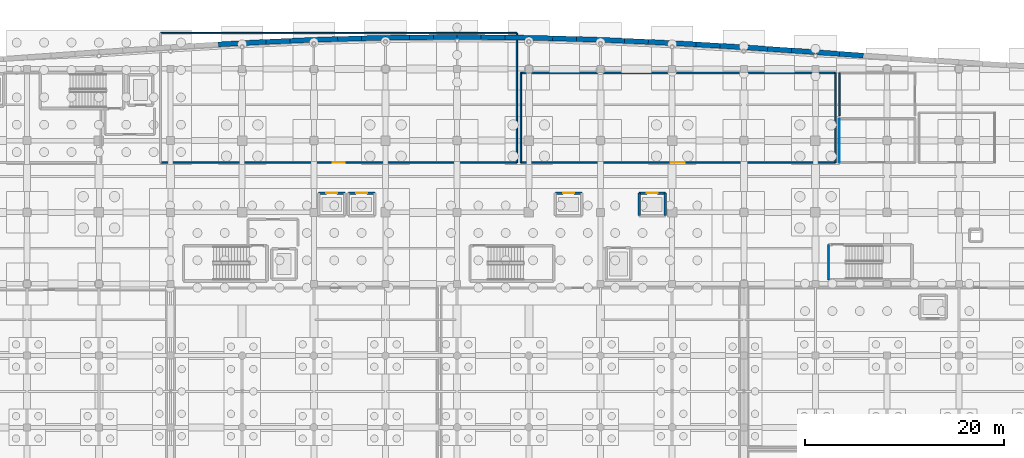
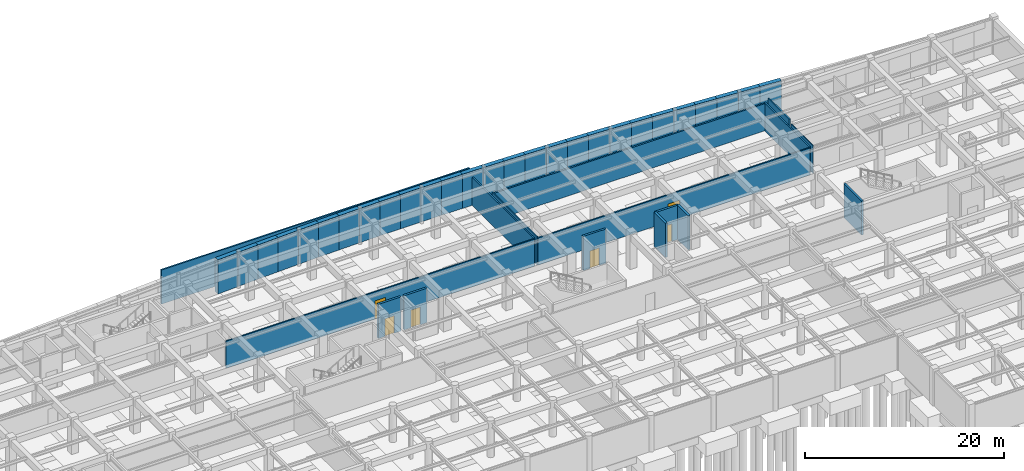
# One storey, part 38 of 48: 43 walls, 6 doors, 6 openings.
"""IFC4 building model written with IfcOpenShell, lengths in metres."""

from ifc_helpers import new_model, si_unit, direction, frame, frame_2d, origin, place, context, subcontext, project, spatial, rectangle, extrude, material, layer, layer_set, type_object, element, fill, save


model = new_model("IFC4")

# Units and contexts
model_context = context("Model", 3, precision=1e-05, world=origin(), true_north=direction((0.0, 1.0)))
body_context = subcontext(model_context, "Body", "Model", "MODEL_VIEW")
ifc_project = project(units=[si_unit("LENGTHUNIT", "METRE"), si_unit("AREAUNIT", "SQUARE_METRE"), si_unit("VOLUMEUNIT", "CUBIC_METRE"), si_unit("PLANEANGLEUNIT", "RADIAN"), si_unit("MASSUNIT", "GRAM", prefix="KILO")], contexts=[model_context])

# Site, building, storey
site_placement = place(None, origin())
site = spatial("IfcSite", under=ifc_project, at=site_placement, CompositionType="ELEMENT")
building_placement = place(site_placement, origin())
building = spatial("IfcBuilding", under=site, at=building_placement, Name="Carrowvane Square Congress Hotel", CompositionType="ELEMENT")
storey_placement = place(building_placement, frame((0.0, 0.0, -4.5)))
storey = spatial("IfcBuildingStorey", under=building, at=storey_placement, Name="B01", CompositionType="ELEMENT", Elevation=-4.5)

# Wall
ifc_material_1 = material(Name="Acoustic gypsum board", Category="gypsum")
ifc_layer_1 = layer(ifc_material_1, 0.155029296875)
ifc_layer_set_1 = layer_set([ifc_layer_1], Name="Acoustic gypsum board")
wall_type_1 = type_object("IfcWallType", Name="WL-FIR-155", PredefinedType="PARTITIONING", material=ifc_layer_set_1)
wall_1_placement = place(storey_placement, frame((104.0, 117.0, 0.0), z_axis=(0.0, 0.0, 1.0), x_axis=(0.0, -1.0, 0.0)))
element("IfcWall", 1, at=wall_1_placement, inside=storey, type_object=wall_type_1, Name="B01 Central Cold Prep and Bonded Store partition", PredefinedType="PARTITIONING", context=body_context, shape_type="SweptSolid", body=[
    extrude(rectangle(XDim=13.0, YDim=0.155029296875, at=frame_2d((6.5, 0.0))), origin(), (0.0, 0.0, 1.0), 3.43505859375),
])

# Wall, opening, door
wall_2_placement = place(storey_placement, frame((136.0, 104.0, 0.0), z_axis=(0.0, 0.0, 1.0), x_axis=(-1.0, 0.0, 0.0)))
wall_2 = element("IfcWall", 2, at=wall_2_placement, inside=storey, type_object=wall_type_1, Name="B01 Chief Engineer Control Workshop partition", PredefinedType="PARTITIONING", context=body_context, shape_type="SweptSolid", body=[
    extrude(rectangle(XDim=31.60009765625, YDim=0.155029296875, at=frame_2d((15.800048828125, 0.0))), origin(), (0.0, 0.0, 1.0), 3.3349609375),
])
opening_1_placement = place(wall_2_placement, frame((15.1201171875, 0.0, 0.0)))
opening_1 = element("IfcOpeningElement", 3, at=opening_1_placement, cuts=wall_2, Name="Opening ID-25", PredefinedType="OPENING", context=body_context, shape_type="SweptSolid", body=[
    extrude(rectangle(XDim=1.360107421875, YDim=2.219970703125, at=frame_2d((0.68017578125, 1.10986328125))), frame((0.0, 0.08740234375, 0.0), z_axis=(0.0, -1.0, 0.0), x_axis=(1.0, 0.0, 0.0)), (0.0, 0.0, 1.0), 0.175048828125),
])
ifc_material_2 = material(Name="European oak timber", Category="wood")
door_type_1 = type_object("IfcDoorType", Name="DR-INT-1360x2220", OperationType="DOUBLE_DOOR_SINGLE_SWING", PredefinedType="DOOR", material=ifc_material_2)
door_1_placement = place(opening_1_placement, origin())
door_1 = element("IfcDoor", 4, at=door_1_placement, inside=storey, type_object=door_type_1, Name="B01 Chief Engineer Control Workshop entrance door", OperationType="DOUBLE_DOOR_SINGLE_SWING", OverallHeight=2.219970703125, OverallWidth=1.360107421875, PredefinedType="DOOR", context=body_context, shape_type="SweptSolid", body=[
    extrude(rectangle(XDim=1.360107421875, YDim=2.219970703125, at=frame_2d((0.68017578125, 1.10986328125))), frame((0.0, 0.02490234375, 0.0), z_axis=(0.0, -1.0, 0.0), x_axis=(1.0, 0.0, 0.0)), (0.0, 0.0, 1.0), 0.050048828125),
])
fill(opening_1, door_1)

# Walls
ifc_material_3 = material(Name="Acoustic gypsum board", Category="gypsum")
ifc_layer_2 = layer(ifc_material_3, 0.169921875)
ifc_layer_set_2 = layer_set([ifc_layer_2], Name="Acoustic gypsum board")
wall_type_2 = type_object("IfcWallType", Name="WL-FIR-170", PredefinedType="PARTITIONING", material=ifc_layer_set_2)
wall_3_placement = place(storey_placement, frame((68.199951171875, 117.0, 0.0), z_axis=(0.0, 0.0, 1.0), x_axis=(1.0, 0.0, 0.0)))
element("IfcWall", 5, at=wall_3_placement, inside=storey, type_object=wall_type_2, Name="B01 Central Cold Prep and Bonded Store partition", PredefinedType="PARTITIONING", context=body_context, shape_type="SweptSolid", body=[
    extrude(rectangle(XDim=35.800048828125, YDim=0.169921875, at=frame_2d((17.89990234375, 0.0))), origin(), (0.0, 0.0, 1.0), 4.199951171875),
])
wall_4_placement = place(storey_placement, frame((136.0, 113.0, 0.0), z_axis=(0.0, 0.0, 1.0), x_axis=(0.0, -1.0, 0.0)))
element("IfcWall", 6, at=wall_4_placement, inside=storey, type_object=wall_type_2, Name="B01 Chief Engineer Control Workshop partition", PredefinedType="PARTITIONING", context=body_context, shape_type="SweptSolid", body=[
    extrude(rectangle(XDim=9.0, YDim=0.169921875, at=frame_2d((4.5, 0.0))), origin(), (0.0, 0.0, 1.0), 3.43505859375),
])
ifc_material_4 = material(Name="Acoustic gypsum board", Category="gypsum")
ifc_layer_3 = layer(ifc_material_4, 0.18505859375)
ifc_layer_set_3 = layer_set([ifc_layer_3], Name="Acoustic gypsum board")
wall_type_3 = type_object("IfcWallType", Name="WL-FIR-185", PredefinedType="PARTITIONING", material=ifc_layer_set_3)
wall_5_placement = place(storey_placement, frame((104.39990234375, 113.0, 0.0), z_axis=(0.0, 0.0, 1.0), x_axis=(1.0, 0.0, 0.0)))
element("IfcWall", 7, at=wall_5_placement, inside=storey, type_object=wall_type_3, Name="B01 Chief Engineer Control Workshop partition", PredefinedType="PARTITIONING", context=body_context, shape_type="SweptSolid", body=[
    extrude(rectangle(XDim=31.60009765625, YDim=0.18505859375, at=frame_2d((15.800048828125, 0.0))), origin(), (0.0, 0.0, 1.0), 3.3349609375),
])
ifc_material_5 = material(Name="Acoustic gypsum board", Category="gypsum")
ifc_layer_4 = layer(ifc_material_5, 0.097900390625)
ifc_layer_set_4 = layer_set([ifc_layer_4], Name="Acoustic gypsum board")
wall_type_4 = type_object("IfcWallType", Name="WL-PRT-098", PredefinedType="PARTITIONING", material=ifc_layer_set_4)
wall_6_placement = place(storey_placement, frame((136.39990234375, 104.0, 0.0), z_axis=(0.0, 0.0, 1.0), x_axis=(0.0, 1.0, 0.0)))
element("IfcWall", 8, at=wall_6_placement, inside=storey, type_object=wall_type_4, Name="B01 Basement Staff Male Toilets partition", PredefinedType="PARTITIONING", context=body_context, shape_type="SweptSolid", body=[
    extrude(rectangle(XDim=4.39990234375, YDim=0.097900390625, at=frame_2d((2.199951171875, 0.0))), origin(), (0.0, 0.0, 1.0), 3.43505859375),
])
ifc_material_6 = material(Name="Acoustic gypsum board", Category="gypsum")
ifc_layer_5 = layer(ifc_material_6, 0.137939453125)
ifc_layer_set_5 = layer_set([ifc_layer_5], Name="Acoustic gypsum board")
wall_type_5 = type_object("IfcWallType", Name="WL-PRT-138", PredefinedType="PARTITIONING", material=ifc_layer_set_5)
wall_7_placement = place(storey_placement, frame((104.39990234375, 104.0, 0.0), z_axis=(0.0, 0.0, 1.0), x_axis=(0.0, 1.0, 0.0)))
element("IfcWall", 9, at=wall_7_placement, inside=storey, type_object=wall_type_5, Name="B01 Chief Engineer Control Workshop partition", PredefinedType="PARTITIONING", context=body_context, shape_type="SweptSolid", body=[
    extrude(rectangle(XDim=9.0, YDim=0.137939453125, at=frame_2d((4.5, 0.0))), origin(), (0.0, 0.0, 1.0), 3.43505859375),
])

# Wall, opening, door
ifc_material_7 = material(Name="Acoustic gypsum board", Category="gypsum")
ifc_layer_6 = layer(ifc_material_7, 0.14794921875)
ifc_layer_set_6 = layer_set([ifc_layer_6], Name="Acoustic gypsum board")
wall_type_6 = type_object("IfcWallType", Name="WL-PRT-148", PredefinedType="PARTITIONING", material=ifc_layer_set_6)
wall_8_placement = place(storey_placement, frame((104.0, 104.0, 0.0), z_axis=(0.0, 0.0, 1.0), x_axis=(-1.0, 0.0, 0.0)))
wall_8 = element("IfcWall", 10, at=wall_8_placement, inside=storey, type_object=wall_type_6, Name="B01 Central Cold Prep and Bonded Store partition", PredefinedType="PARTITIONING", context=body_context, shape_type="SweptSolid", body=[
    extrude(rectangle(XDim=35.800048828125, YDim=0.14794921875, at=frame_2d((17.89990234375, 0.0))), origin(), (0.0, 0.0, 1.0), 3.3349609375),
])
opening_2_placement = place(wall_8_placement, frame((17.2900390625, 0.0, 0.0)))
opening_2 = element("IfcOpeningElement", 11, at=opening_2_placement, cuts=wall_8, Name="Opening ID-24", PredefinedType="OPENING", context=body_context, shape_type="SweptSolid", body=[
    extrude(rectangle(XDim=1.219970703125, YDim=2.239990234375, at=frame_2d((0.60986328125, 1.1201171875))), frame((0.0, 0.083984375, 0.0), z_axis=(0.0, -1.0, 0.0), x_axis=(1.0, 0.0, 0.0)), (0.0, 0.0, 1.0), 0.16796875),
])
ifc_material_8 = material(Name="European oak timber", Category="wood")
door_type_2 = type_object("IfcDoorType", Name="DR-INT-1220x2240", OperationType="NOTDEFINED", PredefinedType="DOOR", material=ifc_material_8)
door_2_placement = place(opening_2_placement, origin())
door_2 = element("IfcDoor", 12, at=door_2_placement, inside=storey, type_object=door_type_2, Name="B01 Central Cold Prep and Bonded Store entrance door", OperationType="SINGLE_SWING_RIGHT", OverallHeight=2.239990234375, OverallWidth=1.219970703125, PredefinedType="DOOR", context=body_context, shape_type="SweptSolid", body=[
    extrude(rectangle(XDim=1.219970703125, YDim=2.239990234375, at=frame_2d((0.60986328125, 1.1201171875))), frame((0.0, 0.02490234375, 0.0), z_axis=(0.0, -1.0, 0.0), x_axis=(1.0, 0.0, 0.0)), (0.0, 0.0, 1.0), 0.050048828125),
])
fill(opening_2, door_2)

# Walls
wall_9_placement = place(storey_placement, frame((136.39990234375, 108.699951171875, 0.0), z_axis=(0.0, 0.0, 1.0), x_axis=(0.0, 1.0, 0.0)))
element("IfcWall", 13, at=wall_9_placement, inside=storey, type_object=wall_type_6, Name="B01 Basement Staff Female Toilets partition", PredefinedType="PARTITIONING", context=body_context, shape_type="SweptSolid", body=[
    extrude(rectangle(XDim=4.300048828125, YDim=0.14794921875, at=frame_2d((2.14990234375, 0.0))), origin(), (0.0, 0.0, 1.0), 3.826904296875),
])
ifc_material_9 = material(Name="Concrete C35/45", Category="concrete")
ifc_layer_7 = layer(ifc_material_9, 0.5)
ifc_layer_set_7 = layer_set([ifc_layer_7], Name="Concrete C35/45")
wall_type_7 = type_object("IfcWallType", Name="WL-RET-500", PredefinedType="SOLIDWALL", material=ifc_layer_set_7)
wall_10_placement = place(storey_placement, frame((74.0, 115.86572265625, 0.0), z_axis=(0.0, 0.0, 1.0), x_axis=(0.998494541086, 0.054851175197, 0.0)))
element("IfcWall", 14, at=wall_10_placement, inside=storey, type_object=wall_type_7, Name="B01 perimeter retaining wall 36", PredefinedType="SOLIDWALL", context=body_context, shape_type="SweptSolid", body=[
    extrude(rectangle(XDim=2.403564453125, YDim=0.5, at=frame_2d((1.20166015625, 0.0))), origin(), (0.0, 0.0, 1.0), 4.199951171875),
])
wall_11_placement = place(storey_placement, frame((76.39990234375, 115.99755859375, 0.0), z_axis=(0.0, 0.0, 1.0), x_axis=(0.998734797052, 0.050287226583, 0.0)))
element("IfcWall", 15, at=wall_11_placement, inside=storey, type_object=wall_type_7, Name="B01 perimeter retaining wall 37", PredefinedType="SOLIDWALL", context=body_context, shape_type="SweptSolid", body=[
    extrude(rectangle(XDim=2.403076171875, YDim=0.5, at=frame_2d((1.20166015625, 0.0))), origin(), (0.0, 0.0, 1.0), 4.199951171875),
])
wall_12_placement = place(storey_placement, frame((78.800048828125, 116.118408203125, 0.0), z_axis=(0.0, 0.0, 1.0), x_axis=(0.998967701901, 0.045426099975, 0.0)))
element("IfcWall", 16, at=wall_12_placement, inside=storey, type_object=wall_type_7, Name="B01 perimeter retaining wall 38", PredefinedType="SOLIDWALL", context=body_context, shape_type="SweptSolid", body=[
    extrude(rectangle(XDim=2.40234375, YDim=0.5, at=frame_2d((1.201171875, 0.0))), origin(), (0.0, 0.0, 1.0), 4.199951171875),
])
wall_13_placement = place(storey_placement, frame((81.199951171875, 116.2275390625, 0.0), z_axis=(0.0, 0.0, 1.0), x_axis=(0.999193798943, 0.040146633159, 0.0)))
element("IfcWall", 17, at=wall_13_placement, inside=storey, type_object=wall_type_7, Name="B01 perimeter retaining wall 39", PredefinedType="SOLIDWALL", context=body_context, shape_type="SweptSolid", body=[
    extrude(rectangle(XDim=2.402099609375, YDim=0.5, at=frame_2d((1.201171875, 0.0))), origin(), (0.0, 0.0, 1.0), 4.199951171875),
])
wall_14_placement = place(storey_placement, frame((83.60009765625, 116.323974609375, 0.0), z_axis=(0.0, 0.0, 1.0), x_axis=(0.999402371436, 0.034567325156, 0.0)))
element("IfcWall", 18, at=wall_14_placement, inside=storey, type_object=wall_type_7, Name="B01 perimeter retaining wall 40", PredefinedType="SOLIDWALL", context=body_context, shape_type="SweptSolid", body=[
    extrude(rectangle(XDim=2.4013671875, YDim=0.5, at=frame_2d((1.20068359375, 0.0))), origin(), (0.0, 0.0, 1.0), 4.199951171875),
])
for number, where, z_axis, x_axis, name in (
    (19, (86.0, 116.406982421875, 0.0), (0.0, 0.0, 1.0), (0.999591671641, 0.028574288884, 0.0), "B01 perimeter retaining wall 41"),
    (20, (88.39990234375, 116.4755859375, 0.0), (0.0, 0.0, 1.0), (0.999745132473, 0.022575874215, 0.0), "B01 perimeter retaining wall 42"),
):
    element("IfcWall", number, at=place(storey_placement, frame(where, z_axis=z_axis, x_axis=x_axis)), inside=storey, type_object=wall_type_7, Name=name, PredefinedType="SOLIDWALL", context=body_context, shape_type="SweptSolid", body=[
        extrude(rectangle(XDim=2.40087890625, YDim=0.5, at=frame_2d((1.200439453125, 0.0))), origin(), (0.0, 0.0, 1.0), 4.199951171875),
    ])
for number, where, z_axis, x_axis, name in (
    (21, (90.800048828125, 116.52978515625, 0.0), (0.0, 0.0, 1.0), (0.999869210762, 0.016172859055, 0.0), "B01 perimeter retaining wall 43"),
    (22, (93.199951171875, 116.568603515625, 0.0), (0.0, 0.0, 1.0), (0.999952325514, 0.009764563447, 0.0), "B01 perimeter retaining wall 44"),
):
    element("IfcWall", number, at=place(storey_placement, frame(where, z_axis=z_axis, x_axis=x_axis)), inside=storey, type_object=wall_type_7, Name=name, PredefinedType="SOLIDWALL", context=body_context, shape_type="SweptSolid", body=[
        extrude(rectangle(XDim=2.400146484375, YDim=0.5, at=frame_2d((1.2001953125, 0.0))), origin(), (0.0, 0.0, 1.0), 4.199951171875),
    ])
for number, where, z_axis, x_axis, name in (
    (23, (95.60009765625, 116.592041015625, 0.0), (0.0, 0.0, 1.0), (0.999994365087, 0.003357051276, 0.0), "B01 perimeter retaining wall 45"),
    (24, (98.0, 116.60009765625, 0.0), (0.0, 0.0, 1.0), (0.999994365087, -0.003357051276, 0.0), "B01 perimeter retaining wall 46"),
):
    element("IfcWall", number, at=place(storey_placement, frame(where, z_axis=z_axis, x_axis=x_axis)), inside=storey, type_object=wall_type_7, Name=name, PredefinedType="SOLIDWALL", context=body_context, shape_type="SweptSolid", body=[
        extrude(rectangle(XDim=2.39990234375, YDim=0.5, at=frame_2d((1.199951171875, 0.0))), origin(), (0.0, 0.0, 1.0), 4.199951171875),
    ])
for number, where, z_axis, x_axis, name in (
    (25, (100.39990234375, 116.592041015625, 0.0), (0.0, 0.0, 1.0), (0.999952325514, -0.009764563447, 0.0), "B01 perimeter retaining wall 47"),
    (26, (102.800048828125, 116.568603515625, 0.0), (0.0, 0.0, 1.0), (0.999869210762, -0.016172859055, 0.0), "B01 perimeter retaining wall 48"),
):
    element("IfcWall", number, at=place(storey_placement, frame(where, z_axis=z_axis, x_axis=x_axis)), inside=storey, type_object=wall_type_7, Name=name, PredefinedType="SOLIDWALL", context=body_context, shape_type="SweptSolid", body=[
        extrude(rectangle(XDim=2.400146484375, YDim=0.5, at=frame_2d((1.2001953125, 0.0))), origin(), (0.0, 0.0, 1.0), 4.199951171875),
    ])
for number, where, z_axis, x_axis, name in (
    (27, (105.199951171875, 116.52978515625, 0.0), (0.0, 0.0, 1.0), (0.999745132473, -0.022575874215, 0.0), "B01 perimeter retaining wall 49"),
    (28, (107.60009765625, 116.4755859375, 0.0), (0.0, 0.0, 1.0), (0.999591671641, -0.028574288884, 0.0), "B01 perimeter retaining wall 50"),
):
    element("IfcWall", number, at=place(storey_placement, frame(where, z_axis=z_axis, x_axis=x_axis)), inside=storey, type_object=wall_type_7, Name=name, PredefinedType="SOLIDWALL", context=body_context, shape_type="SweptSolid", body=[
        extrude(rectangle(XDim=2.40087890625, YDim=0.5, at=frame_2d((1.200439453125, 0.0))), origin(), (0.0, 0.0, 1.0), 4.199951171875),
    ])
wall_15_placement = place(storey_placement, frame((110.0, 116.406982421875, 0.0), z_axis=(0.0, 0.0, 1.0), x_axis=(0.999402371436, -0.034567325156, 0.0)))
element("IfcWall", 29, at=wall_15_placement, inside=storey, type_object=wall_type_7, Name="B01 perimeter retaining wall 51", PredefinedType="SOLIDWALL", context=body_context, shape_type="SweptSolid", body=[
    extrude(rectangle(XDim=2.4013671875, YDim=0.5, at=frame_2d((1.20068359375, 0.0))), origin(), (0.0, 0.0, 1.0), 4.199951171875),
])
wall_16_placement = place(storey_placement, frame((112.39990234375, 116.323974609375, 0.0), z_axis=(0.0, 0.0, 1.0), x_axis=(0.999193798943, -0.040146633159, 0.0)))
element("IfcWall", 30, at=wall_16_placement, inside=storey, type_object=wall_type_7, Name="B01 perimeter retaining wall 52", PredefinedType="SOLIDWALL", context=body_context, shape_type="SweptSolid", body=[
    extrude(rectangle(XDim=2.402099609375, YDim=0.5, at=frame_2d((1.201171875, 0.0))), origin(), (0.0, 0.0, 1.0), 4.199951171875),
])
wall_17_placement = place(storey_placement, frame((114.800048828125, 116.2275390625, 0.0), z_axis=(0.0, 0.0, 1.0), x_axis=(0.998967701901, -0.045426099975, 0.0)))
element("IfcWall", 31, at=wall_17_placement, inside=storey, type_object=wall_type_7, Name="B01 perimeter retaining wall 53", PredefinedType="SOLIDWALL", context=body_context, shape_type="SweptSolid", body=[
    extrude(rectangle(XDim=2.40234375, YDim=0.5, at=frame_2d((1.201171875, 0.0))), origin(), (0.0, 0.0, 1.0), 4.199951171875),
])
wall_18_placement = place(storey_placement, frame((117.199951171875, 116.118408203125, 0.0), z_axis=(0.0, 0.0, 1.0), x_axis=(0.998734797052, -0.050287226583, 0.0)))
element("IfcWall", 32, at=wall_18_placement, inside=storey, type_object=wall_type_7, Name="B01 perimeter retaining wall 54", PredefinedType="SOLIDWALL", context=body_context, shape_type="SweptSolid", body=[
    extrude(rectangle(XDim=2.403076171875, YDim=0.5, at=frame_2d((1.20166015625, 0.0))), origin(), (0.0, 0.0, 1.0), 4.199951171875),
])
wall_19_placement = place(storey_placement, frame((119.60009765625, 115.99755859375, 0.0), z_axis=(0.0, 0.0, 1.0), x_axis=(0.998494541086, -0.054851175197, 0.0)))
element("IfcWall", 33, at=wall_19_placement, inside=storey, type_object=wall_type_7, Name="B01 perimeter retaining wall 55", PredefinedType="SOLIDWALL", context=body_context, shape_type="SweptSolid", body=[
    extrude(rectangle(XDim=2.403564453125, YDim=0.5, at=frame_2d((1.20166015625, 0.0))), origin(), (0.0, 0.0, 1.0), 4.199951171875),
])
wall_20_placement = place(storey_placement, frame((122.0, 115.86572265625, 0.0), z_axis=(0.0, 0.0, 1.0), x_axis=(0.998269817782, -0.058799412461, 0.0)))
element("IfcWall", 34, at=wall_20_placement, inside=storey, type_object=wall_type_7, Name="B01 perimeter retaining wall 56", PredefinedType="SOLIDWALL", context=body_context, shape_type="SweptSolid", body=[
    extrude(rectangle(XDim=2.404052734375, YDim=0.5, at=frame_2d((1.2021484375, 0.0))), origin(), (0.0, 0.0, 1.0), 4.199951171875),
])
wall_21_placement = place(storey_placement, frame((124.39990234375, 115.724365234375, 0.0), z_axis=(0.0, 0.0, 1.0), x_axis=(0.998049021666, -0.062435169192, 0.0)))
element("IfcWall", 35, at=wall_21_placement, inside=storey, type_object=wall_type_7, Name="B01 perimeter retaining wall 57", PredefinedType="SOLIDWALL", context=body_context, shape_type="SweptSolid", body=[
    extrude(rectangle(XDim=2.40478515625, YDim=0.5, at=frame_2d((1.202392578125, 0.0))), origin(), (0.0, 0.0, 1.0), 4.199951171875),
])
wall_22_placement = place(storey_placement, frame((126.800048828125, 115.57421875, 0.0), z_axis=(0.0, 0.0, 1.0), x_axis=(0.99786085888, -0.065373590348, 0.0)))
element("IfcWall", 36, at=wall_22_placement, inside=storey, type_object=wall_type_7, Name="B01 perimeter retaining wall 58", PredefinedType="SOLIDWALL", context=body_context, shape_type="SweptSolid", body=[
    extrude(rectangle(XDim=2.405029296875, YDim=0.5, at=frame_2d((1.20263671875, 0.0))), origin(), (0.0, 0.0, 1.0), 4.199951171875),
])
for number, where, z_axis, x_axis, name in (
    (37, (129.199951171875, 115.4169921875, 0.0), (0.0, 0.0, 1.0), (0.997692606374, -0.067893027532, 0.0), "B01 perimeter retaining wall 59"),
    (38, (131.60009765625, 115.253662109375, 0.0), (0.0, 0.0, 1.0), (0.997566736958, -0.069718041535, 0.0), "B01 perimeter retaining wall 60"),
):
    element("IfcWall", number, at=place(storey_placement, frame(where, z_axis=z_axis, x_axis=x_axis)), inside=storey, type_object=wall_type_7, Name=name, PredefinedType="SOLIDWALL", context=body_context, shape_type="SweptSolid", body=[
        extrude(rectangle(XDim=2.40576171875, YDim=0.5, at=frame_2d((1.202880859375, 0.0))), origin(), (0.0, 0.0, 1.0), 4.199951171875),
    ])
wall_23_placement = place(storey_placement, frame((134.0, 115.0859375, 0.0), z_axis=(0.0, 0.0, 1.0), x_axis=(0.997481313423, -0.070929749551, 0.0)))
element("IfcWall", 39, at=wall_23_placement, inside=storey, type_object=wall_type_7, Name="B01 perimeter retaining wall 61", PredefinedType="SOLIDWALL", context=body_context, shape_type="SweptSolid", body=[
    extrude(rectangle(XDim=2.406005859375, YDim=0.5, at=frame_2d((1.203125, 0.0))), origin(), (0.0, 0.0, 1.0), 4.199951171875),
])
wall_24_placement = place(storey_placement, frame((136.39990234375, 114.915283203125, 0.0), z_axis=(0.0, 0.0, 1.0), x_axis=(0.997438574499, -0.071528246874, 0.0)))
element("IfcWall", 40, at=wall_24_placement, inside=storey, type_object=wall_type_7, Name="B01 perimeter retaining wall 62", PredefinedType="SOLIDWALL", context=body_context, shape_type="SweptSolid", body=[
    extrude(rectangle(XDim=2.40625, YDim=0.5, at=frame_2d((1.203125, 0.0))), origin(), (0.0, 0.0, 1.0), 4.199951171875),
])
ifc_material_10 = material(Name="Concrete C40/50", Category="concrete")
ifc_layer_8 = layer(ifc_material_10, 0.22509765625)
ifc_layer_set_8 = layer_set([ifc_layer_8], Name="Concrete C40/50")
wall_type_8 = type_object("IfcWallType", Name="WL-SHR-225", PredefinedType="SHEAR", material=ifc_layer_set_8)
wall_25_placement = place(storey_placement, frame((135.300048828125, 95.760009765625, 0.0), z_axis=(0.0, 0.0, 1.0), x_axis=(0.0, -1.0, 0.0)))
element("IfcWall", 41, at=wall_25_placement, inside=storey, type_object=wall_type_8, Name="B01 ST12 core wall west", PredefinedType="SHEAR", context=body_context, shape_type="SweptSolid", body=[
    extrude(rectangle(XDim=3.56005859375, YDim=0.22509765625, at=frame_2d((1.780029296875, 0.0))), origin(), (0.0, 0.0, 1.0), 4.199951171875),
])

# Wall, opening, door
ifc_material_11 = material(Name="Concrete C40/50", Category="concrete")
ifc_layer_9 = layer(ifc_material_11, 0.25)
ifc_layer_set_9 = layer_set([ifc_layer_9], Name="Concrete C40/50")
wall_type_9 = type_object("IfcWallType", Name="WL-SHR-250", PredefinedType="SHEAR", material=ifc_layer_set_9)
wall_26_placement = place(storey_placement, frame((86.72509765625, 100.925048828125, 0.0), z_axis=(0.0, 0.0, 1.0), x_axis=(-1.0, 0.0, 0.0)))
wall_26 = element("IfcWall", 42, at=wall_26_placement, inside=storey, type_object=wall_type_9, Name="B01 HL-1 shaft wall north", PredefinedType="SHEAR", context=body_context, shape_type="SweptSolid", body=[
    extrude(rectangle(XDim=2.650146484375, YDim=0.25, at=frame_2d((1.3251953125, 0.0))), origin(), (0.0, 0.0, 1.0), 4.199951171875),
])
opening_3_placement = place(wall_26_placement, frame((0.77490234375, 0.0, 0.0)))
opening_3 = element("IfcOpeningElement", 43, at=opening_3_placement, cuts=wall_26, Name="Opening LD-HL-1", PredefinedType="OPENING", context=body_context, shape_type="SweptSolid", body=[
    extrude(rectangle(XDim=1.10009765625, YDim=2.14990234375, at=frame_2d((0.550048828125, 1.074951171875))), frame((0.0, 0.135009765625, 0.0), z_axis=(0.0, -1.0, 0.0), x_axis=(1.0, 0.0, 0.0)), (0.0, 0.0, 1.0), 0.27001953125),
])
ifc_material_12 = material(Name="Stainless steel 316", Category="steel")
door_type_3 = type_object("IfcDoorType", Name="DR-LD-1100x2150", OperationType="DOUBLE_DOOR_SLIDING", PredefinedType="DOOR", material=ifc_material_12)
door_3_placement = place(opening_3_placement, origin())
door_3 = element("IfcDoor", 44, at=door_3_placement, inside=storey, type_object=door_type_3, Name="B01 HL-1 sliding lift landing door", OperationType="DOUBLE_DOOR_SLIDING", OverallHeight=2.14990234375, OverallWidth=1.10009765625, PredefinedType="DOOR", context=body_context, shape_type="SweptSolid", body=[
    extrude(rectangle(XDim=1.10009765625, YDim=2.14990234375, at=frame_2d((0.550048828125, 1.074951171875))), frame((0.0, 0.02490234375, 0.0), z_axis=(0.0, -1.0, 0.0), x_axis=(1.0, 0.0, 0.0)), (0.0, 0.0, 1.0), 0.050048828125),
])
fill(opening_3, door_3)

wall_27_placement = place(storey_placement, frame((89.72509765625, 100.925048828125, 0.0), z_axis=(0.0, 0.0, 1.0), x_axis=(-1.0, 0.0, 0.0)))
wall_27 = element("IfcWall", 45, at=wall_27_placement, inside=storey, type_object=wall_type_9, Name="B01 HL-2 shaft wall north", PredefinedType="SHEAR", context=body_context, shape_type="SweptSolid", body=[
    extrude(rectangle(XDim=2.650146484375, YDim=0.25, at=frame_2d((1.3251953125, 0.0))), origin(), (0.0, 0.0, 1.0), 4.199951171875),
])
opening_4_placement = place(wall_27_placement, frame((0.77490234375, 0.0, 0.0)))
opening_4 = element("IfcOpeningElement", 46, at=opening_4_placement, cuts=wall_27, Name="Opening LD-HL-2", PredefinedType="OPENING", context=body_context, shape_type="SweptSolid", body=[
    extrude(rectangle(XDim=1.10009765625, YDim=2.14990234375, at=frame_2d((0.550048828125, 1.074951171875))), frame((0.0, 0.135009765625, 0.0), z_axis=(0.0, -1.0, 0.0), x_axis=(1.0, 0.0, 0.0)), (0.0, 0.0, 1.0), 0.27001953125),
])
door_4_placement = place(opening_4_placement, origin())
door_4 = element("IfcDoor", 47, at=door_4_placement, inside=storey, type_object=door_type_3, Name="B01 HL-2 sliding lift landing door", OperationType="DOUBLE_DOOR_SLIDING", OverallHeight=2.14990234375, OverallWidth=1.10009765625, PredefinedType="DOOR", context=body_context, shape_type="SweptSolid", body=[
    extrude(rectangle(XDim=1.10009765625, YDim=2.14990234375, at=frame_2d((0.550048828125, 1.074951171875))), frame((0.0, 0.02490234375, 0.0), z_axis=(0.0, -1.0, 0.0), x_axis=(1.0, 0.0, 0.0)), (0.0, 0.0, 1.0), 0.050048828125),
])
fill(opening_4, door_4)

wall_28_placement = place(storey_placement, frame((110.52490234375, 100.925048828125, 0.0), z_axis=(0.0, 0.0, 1.0), x_axis=(-1.0, 0.0, 0.0)))
wall_28 = element("IfcWall", 48, at=wall_28_placement, inside=storey, type_object=wall_type_9, Name="B01 HL-3 shaft wall north", PredefinedType="SHEAR", context=body_context, shape_type="SweptSolid", body=[
    extrude(rectangle(XDim=2.64990234375, YDim=0.25, at=frame_2d((1.324951171875, 0.0))), origin(), (0.0, 0.0, 1.0), 4.199951171875),
])
opening_5_placement = place(wall_28_placement, frame((0.77490234375, 0.0, 0.0)))
opening_5 = element("IfcOpeningElement", 49, at=opening_5_placement, cuts=wall_28, Name="Opening LD-HL-3", PredefinedType="OPENING", context=body_context, shape_type="SweptSolid", body=[
    extrude(rectangle(XDim=1.10009765625, YDim=2.14990234375, at=frame_2d((0.550048828125, 1.074951171875))), frame((0.0, 0.135009765625, 0.0), z_axis=(0.0, -1.0, 0.0), x_axis=(1.0, 0.0, 0.0)), (0.0, 0.0, 1.0), 0.27001953125),
])
door_5_placement = place(opening_5_placement, origin())
door_5 = element("IfcDoor", 50, at=door_5_placement, inside=storey, type_object=door_type_3, Name="B01 HL-3 sliding lift landing door", OperationType="DOUBLE_DOOR_SLIDING", OverallHeight=2.14990234375, OverallWidth=1.10009765625, PredefinedType="DOOR", context=body_context, shape_type="SweptSolid", body=[
    extrude(rectangle(XDim=1.10009765625, YDim=2.14990234375, at=frame_2d((0.550048828125, 1.074951171875))), frame((0.0, 0.02490234375, 0.0), z_axis=(0.0, -1.0, 0.0), x_axis=(1.0, 0.0, 0.0)), (0.0, 0.0, 1.0), 0.050048828125),
])
fill(opening_5, door_5)

# Wall
wall_29_placement = place(storey_placement, frame((118.925048828125, 98.675048828125, 0.0), z_axis=(0.0, 0.0, 1.0), x_axis=(0.0, 1.0, 0.0)))
element("IfcWall", 51, at=wall_29_placement, inside=storey, type_object=wall_type_9, Name="B01 HL-4 shaft wall east", PredefinedType="SHEAR", context=body_context, shape_type="SweptSolid", body=[
    extrude(rectangle(XDim=2.25, YDim=0.25, at=frame_2d((1.125, 0.0))), origin(), (0.0, 0.0, 1.0), 4.199951171875),
])

# Wall, opening, door
wall_30_placement = place(storey_placement, frame((118.925048828125, 100.925048828125, 0.0), z_axis=(0.0, 0.0, 1.0), x_axis=(-1.0, 0.0, 0.0)))
wall_30 = element("IfcWall", 52, at=wall_30_placement, inside=storey, type_object=wall_type_9, Name="B01 HL-4 shaft wall north", PredefinedType="SHEAR", context=body_context, shape_type="SweptSolid", body=[
    extrude(rectangle(XDim=2.650146484375, YDim=0.25, at=frame_2d((1.3251953125, 0.0))), origin(), (0.0, 0.0, 1.0), 4.199951171875),
])
opening_6_placement = place(wall_30_placement, frame((0.77490234375, 0.0, 0.0)))
opening_6 = element("IfcOpeningElement", 53, at=opening_6_placement, cuts=wall_30, Name="Opening LD-HL-4", PredefinedType="OPENING", context=body_context, shape_type="SweptSolid", body=[
    extrude(rectangle(XDim=1.10009765625, YDim=2.14990234375, at=frame_2d((0.550048828125, 1.074951171875))), frame((0.0, 0.135009765625, 0.0), z_axis=(0.0, -1.0, 0.0), x_axis=(1.0, 0.0, 0.0)), (0.0, 0.0, 1.0), 0.27001953125),
])
door_6_placement = place(opening_6_placement, origin())
door_6 = element("IfcDoor", 54, at=door_6_placement, inside=storey, type_object=door_type_3, Name="B01 HL-4 sliding lift landing door", OperationType="DOUBLE_DOOR_SLIDING", OverallHeight=2.14990234375, OverallWidth=1.10009765625, PredefinedType="DOOR", context=body_context, shape_type="SweptSolid", body=[
    extrude(rectangle(XDim=1.10009765625, YDim=2.14990234375, at=frame_2d((0.550048828125, 1.074951171875))), frame((0.0, 0.02490234375, 0.0), z_axis=(0.0, -1.0, 0.0), x_axis=(1.0, 0.0, 0.0)), (0.0, 0.0, 1.0), 0.050048828125),
])
fill(opening_6, door_6)

# Wall
wall_31_placement = place(storey_placement, frame((116.27490234375, 100.925048828125, 0.0), z_axis=(0.0, 0.0, 1.0), x_axis=(0.0, -1.0, 0.0)))
element("IfcWall", 55, at=wall_31_placement, inside=storey, type_object=wall_type_9, Name="B01 HL-4 shaft wall west", PredefinedType="SHEAR", context=body_context, shape_type="SweptSolid", body=[
    extrude(rectangle(XDim=2.25, YDim=0.25, at=frame_2d((1.125, 0.0))), origin(), (0.0, 0.0, 1.0), 4.199951171875),
])

save(model, "model.ifc")
